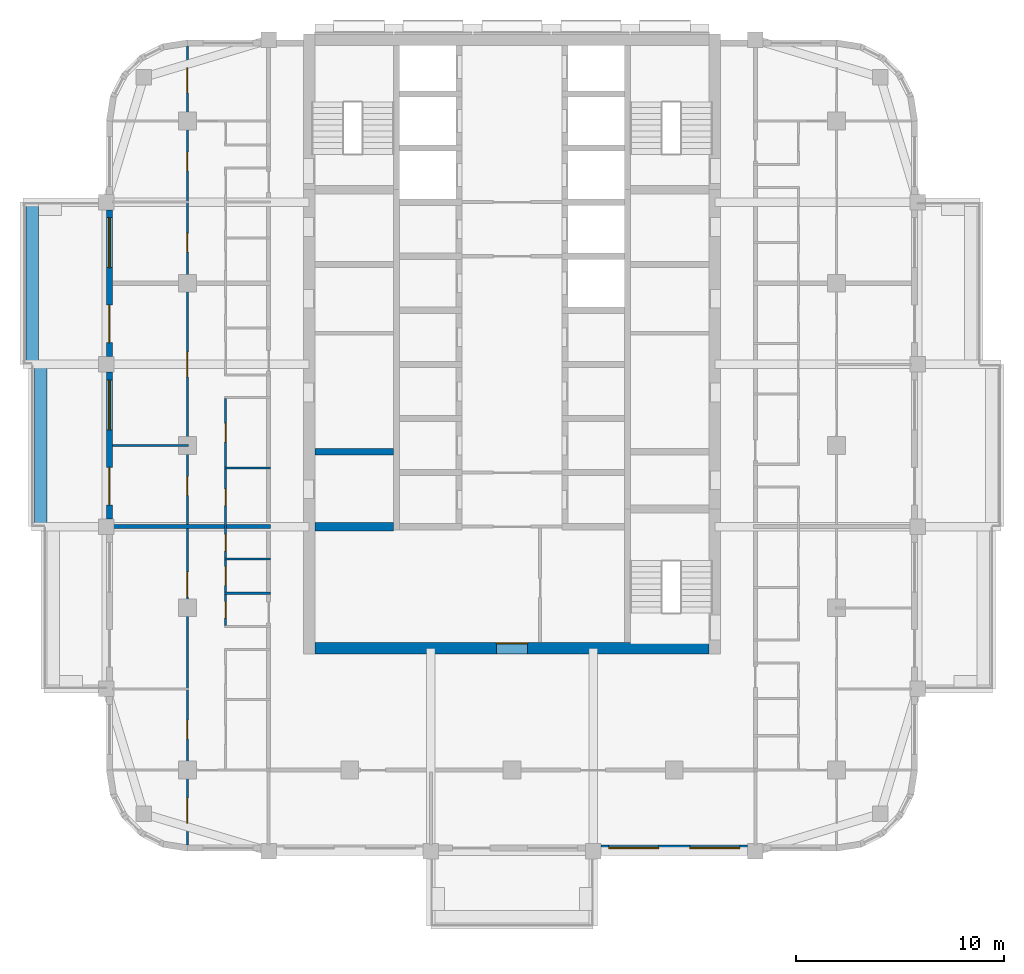
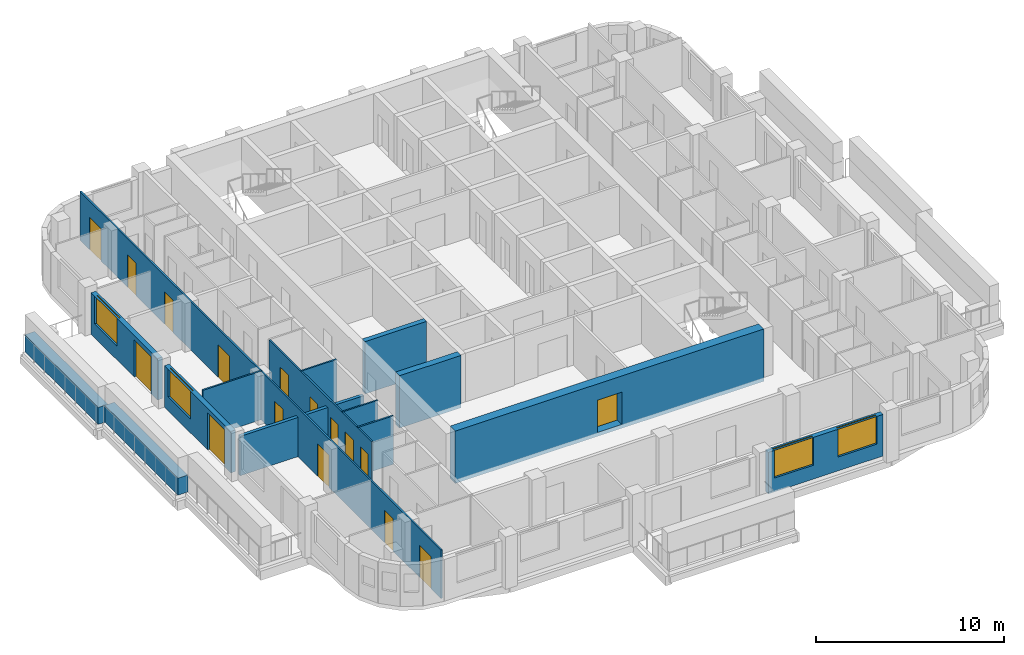
# One storey, part 3 of 13: 16 doors, 15 walls, 4 windows, 20 openings.
"""IFC4 building model written with IfcOpenShell, lengths in metres."""

from ifc_helpers import new_model, si_unit, direction, frame, frame_2d, origin, place, context, subcontext, project, spatial, rectangle, extrude, material, layer, layer_set, type_object, element, fill, save


model = new_model("IFC4")

# Units and contexts
model_context = context("Model", 3, precision=1e-05, world=origin(), true_north=direction((0.0, 1.0)))
body_context = subcontext(model_context, "Body", "Model", "MODEL_VIEW")
ifc_project = project(units=[si_unit("LENGTHUNIT", "METRE"), si_unit("AREAUNIT", "SQUARE_METRE"), si_unit("VOLUMEUNIT", "CUBIC_METRE"), si_unit("PLANEANGLEUNIT", "RADIAN"), si_unit("MASSUNIT", "GRAM", prefix="KILO")], contexts=[model_context])

# Site, building, storey
site_placement = place(None, origin())
site = spatial("IfcSite", under=ifc_project, at=site_placement, CompositionType="ELEMENT")
building_placement = place(site_placement, origin())
building = spatial("IfcBuilding", under=site, at=building_placement, Name="Ludao Terraces", CompositionType="ELEMENT")
storey_placement = place(building_placement, frame((0.0, 0.0, 158.800048828125)))
storey = spatial("IfcBuildingStorey", under=building, at=storey_placement, Name="L43", CompositionType="ELEMENT", Elevation=158.800048828125)

# Wall, opening, door
ifc_material_1 = material(Name="Concrete C60", Category="concrete")
ifc_layer_1 = layer(ifc_material_1, 0.550048828125)
ifc_layer_set_1 = layer_set([ifc_layer_1], Name="Core wall 550 C60")
wall_type_1 = type_object("IfcWallType", Name="Core wall 550 C60", PredefinedType="SOLIDWALL", material=ifc_layer_set_1)
wall_1_placement = place(storey_placement, frame((75.52490234375, 55.25, -0.25), z_axis=(0.0, 0.0, 1.0), x_axis=(1.0, 0.0, 0.0)))
wall_1 = element("IfcWall", 1, at=wall_1_placement, inside=storey, type_object=wall_type_1, Name="Core wall L43 outer-S", PredefinedType="SOLIDWALL", context=body_context, shape_type="SweptSolid", body=[
    extrude(rectangle(XDim=18.9501953125, YDim=0.550048828125, at=frame_2d((9.47509765625, 0.0))), origin(), (0.0, 0.0, 1.0), 3.39990234375),
])
opening_1_placement = place(wall_1_placement, frame((8.72509765625, 0.0, 0.25)))
opening_1 = element("IfcOpeningElement", 2, at=opening_1_placement, cuts=wall_1, Name="Opening R15-015", PredefinedType="OPENING", context=body_context, shape_type="SweptSolid", body=[
    extrude(rectangle(XDim=1.5, YDim=2.10009765625, at=frame_2d((0.75, 1.050048828125))), frame((0.0, 0.28515625, 0.0), z_axis=(0.0, -1.0, 0.0), x_axis=(1.0, 0.0, 0.0)), (0.0, 0.0, 1.0), 0.570068359375),
])
ifc_material_2 = material(Name="Steel Q235", Category="steel")
door_type_1 = type_object("IfcDoorType", Name="INT Lobby door 1500", OperationType="DOUBLE_DOOR_SINGLE_SWING", PredefinedType="DOOR", material=ifc_material_2)
door_1_placement = place(opening_1_placement, origin())
door_1 = element("IfcDoor", 3, at=door_1_placement, inside=storey, type_object=door_type_1, Name="DOOR 015", OperationType="DOUBLE_DOOR_SINGLE_SWING", OverallHeight=2.10009765625, OverallWidth=1.5, PredefinedType="DOOR", context=body_context, shape_type="SweptSolid", body=[
    extrude(rectangle(XDim=1.5, YDim=2.10009765625, at=frame_2d((0.75, 1.050048828125))), frame((0.0, 0.26025390625, 0.0), z_axis=(0.0, -1.0, 0.0), x_axis=(1.0, 0.0, 0.0)), (0.0, 0.0, 1.0), 0.050048828125),
])
fill(opening_1, door_1)

# Walls
ifc_material_3 = material(Name="Concrete C40", Category="concrete")
ifc_layer_2 = layer(ifc_material_3, 0.60009765625)
ifc_layer_set_2 = layer_set([ifc_layer_2], Name="ENV Planter trough 600")
wall_type_2 = type_object("IfcWallType", Name="ENV Planter trough 600", PredefinedType="USERDEFINED", material=ifc_layer_set_2)
wall_2_placement = place(storey_placement, frame((62.35009765625, 61.10009765625, 0.0), z_axis=(0.0, 0.0, 1.0), x_axis=(0.0, 1.0, 0.0)))
element("IfcWall", 4, at=wall_2_placement, inside=storey, type_object=wall_type_2, Name="PL-L43-W2", ObjectType="PLANTER", PredefinedType="USERDEFINED", context=body_context, shape_type="SweptSolid", body=[
    extrude(rectangle(XDim=7.7998046875, YDim=0.60009765625, at=frame_2d((3.89990234375, 0.0))), origin(), (0.0, 0.0, 1.0), 1.099853515625),
])
wall_3_placement = place(storey_placement, frame((61.949951171875, 68.89990234375, 0.0), z_axis=(0.0, 0.0, 1.0), x_axis=(0.0, 1.0, 0.0)))
element("IfcWall", 5, at=wall_3_placement, inside=storey, type_object=wall_type_2, Name="PL-L43-W3", ObjectType="PLANTER", PredefinedType="USERDEFINED", context=body_context, shape_type="SweptSolid", body=[
    extrude(rectangle(XDim=7.800048828125, YDim=0.60009765625, at=frame_2d((3.89990234375, 0.0))), origin(), (0.0, 0.0, 1.0), 1.099853515625),
])

# Wall, openings, windows
ifc_material_4 = material(Name="Granite cladding", Category="masonry")
ifc_layer_3 = layer(ifc_material_4, 0.0400390625, Category="stone")
ifc_material_5 = material(Name="Mineral wool")
ifc_layer_4 = layer(ifc_material_5, 0.06005859375)
ifc_layer_5 = layer(ifc_material_3, 0.199951171875, Category="concrete")
ifc_layer_set_3 = layer_set([ifc_layer_3, ifc_layer_4, ifc_layer_5], Name="ENV Stone-clad wall 300")
wall_type_3 = type_object("IfcWallType", Name="ENV Stone-clad wall 300", PredefinedType="SOLIDWALL", material=ifc_layer_set_3)
wall_4_placement = place(storey_placement, frame((89.27490234375, 45.64990234375, 0.0), z_axis=(0.0, 0.0, 1.0), x_axis=(1.0, 0.0, 0.0)))
wall_4 = element("IfcWall", 6, at=wall_4_placement, inside=storey, type_object=wall_type_3, Name="EW-L43-S4", PredefinedType="SOLIDWALL", context=body_context, shape_type="SweptSolid", body=[
    extrude(rectangle(XDim=7.050048828125, YDim=0.300048828125, at=frame_2d((3.52490234375, 0.0))), origin(), (0.0, 0.0, 1.0), 2.699951171875),
])
opening_2_placement = place(wall_4_placement, frame((0.375, 0.0, 0.89990234375)))
opening_2 = element("IfcOpeningElement", 7, at=opening_2_placement, cuts=wall_4, Name="Opening W1", PredefinedType="OPENING", context=body_context, shape_type="SweptSolid", body=[
    extrude(rectangle(XDim=2.39990234375, YDim=1.800048828125, at=frame_2d((1.199951171875, 0.89990234375))), frame((0.0, 0.16015625, 0.0), z_axis=(0.0, -1.0, 0.0), x_axis=(1.0, 0.0, 0.0)), (0.0, 0.0, 1.0), 0.320068359375),
])
opening_3_placement = place(wall_4_placement, frame((4.27490234375, 0.0, 0.89990234375)))
opening_3 = element("IfcOpeningElement", 8, at=opening_3_placement, cuts=wall_4, Name="Opening W1", PredefinedType="OPENING", context=body_context, shape_type="SweptSolid", body=[
    extrude(rectangle(XDim=2.39990234375, YDim=1.800048828125, at=frame_2d((1.199951171875, 0.89990234375))), frame((0.0, 0.16015625, 0.0), z_axis=(0.0, -1.0, 0.0), x_axis=(1.0, 0.0, 0.0)), (0.0, 0.0, 1.0), 0.320068359375),
])
ifc_material_6 = material(Name="Clear glass in aluminium frame", Category="aluminium")
ifc_layer_6 = layer(ifc_material_6, 0.06005859375)
ifc_layer_set_4 = layer_set([ifc_layer_6], Name="ENV Window W1 2400x1800")
window_type = type_object("IfcWindowType", Name="ENV Window W1 2400x1800", PartitioningType="DOUBLE_PANEL_VERTICAL", PredefinedType="WINDOW", material=ifc_layer_set_4)
window_1_placement = place(opening_2_placement, origin())
window_1 = element("IfcWindow", 9, at=window_1_placement, inside=storey, type_object=window_type, Name="W-L43-S4-1", OverallHeight=1.800048828125, OverallWidth=2.39990234375, PartitioningType="DOUBLE_PANEL_VERTICAL", PredefinedType="WINDOW", context=body_context, shape_type="SweptSolid", body=[
    extrude(rectangle(XDim=2.39990234375, YDim=1.800048828125, at=frame_2d((1.199951171875, 0.89990234375))), frame((0.0, 0.030029296875, 0.0), z_axis=(0.0, -1.0, 0.0), x_axis=(1.0, 0.0, 0.0)), (0.0, 0.0, 1.0), 0.06005859375),
])
fill(opening_2, window_1)
window_2_placement = place(opening_3_placement, origin())
window_2 = element("IfcWindow", 10, at=window_2_placement, inside=storey, type_object=window_type, Name="W-L43-S4-2", OverallHeight=1.800048828125, OverallWidth=2.39990234375, PartitioningType="DOUBLE_PANEL_VERTICAL", PredefinedType="WINDOW", context=body_context, shape_type="SweptSolid", body=[
    extrude(rectangle(XDim=2.39990234375, YDim=1.800048828125, at=frame_2d((1.199951171875, 0.89990234375))), frame((0.0, 0.030029296875, 0.0), z_axis=(0.0, -1.0, 0.0), x_axis=(1.0, 0.0, 0.0)), (0.0, 0.0, 1.0), 0.06005859375),
])
fill(opening_3, window_2)

# Wall, openings, door, window
wall_5_placement = place(storey_placement, frame((65.64990234375, 61.47509765625, 0.0), z_axis=(0.0, 0.0, 1.0), x_axis=(0.0, 1.0, 0.0)))
wall_5 = element("IfcWall", 11, at=wall_5_placement, inside=storey, type_object=wall_type_3, Name="EW-L43-W3", PredefinedType="SOLIDWALL", context=body_context, shape_type="SweptSolid", body=[
    extrude(rectangle(XDim=7.0498046875, YDim=0.300048828125, at=frame_2d((3.52490234375, 0.0))), origin(), (0.0, 0.0, 1.0), 2.699951171875),
])
opening_4_placement = place(wall_5_placement, frame((0.675048828125, 0.0, 0.0)))
opening_4 = element("IfcOpeningElement", 12, at=opening_4_placement, cuts=wall_5, Name="Opening BD", PredefinedType="OPENING", context=body_context, shape_type="SweptSolid", body=[
    extrude(rectangle(XDim=1.800048828125, YDim=2.39990234375, at=frame_2d((0.89990234375, 1.199951171875))), frame((0.0, 0.16015625, 0.0), z_axis=(0.0, -1.0, 0.0), x_axis=(1.0, 0.0, 0.0)), (0.0, 0.0, 1.0), 0.320068359375),
])
opening_5_placement = place(wall_5_placement, frame((4.27490234375, 0.0, 0.89990234375)))
opening_5 = element("IfcOpeningElement", 13, at=opening_5_placement, cuts=wall_5, Name="Opening W1", PredefinedType="OPENING", context=body_context, shape_type="SweptSolid", body=[
    extrude(rectangle(XDim=2.39990234375, YDim=1.800048828125, at=frame_2d((1.199951171875, 0.89990234375))), frame((0.0, 0.16015625, 0.0), z_axis=(0.0, -1.0, 0.0), x_axis=(1.0, 0.0, 0.0)), (0.0, 0.0, 1.0), 0.320068359375),
])
ifc_material_7 = material(Name="Aluminium glazed door", Category="aluminium")
ifc_layer_7 = layer(ifc_material_7, 0.06005859375)
ifc_layer_set_5 = layer_set([ifc_layer_7], Name="ENV Balcony door BD 1800x2400")
door_type_2 = type_object("IfcDoorType", Name="ENV Balcony door BD 1800x2400", OperationType="DOUBLE_DOOR_SINGLE_SWING", PredefinedType="DOOR", material=ifc_layer_set_5)
door_2_placement = place(opening_4_placement, origin())
door_2 = element("IfcDoor", 14, at=door_2_placement, inside=storey, type_object=door_type_2, Name="BD-L43-W3-1", OperationType="DOUBLE_DOOR_SINGLE_SWING", OverallHeight=2.39990234375, OverallWidth=1.800048828125, PredefinedType="DOOR", context=body_context, shape_type="SweptSolid", body=[
    extrude(rectangle(XDim=1.800048828125, YDim=2.39990234375, at=frame_2d((0.89990234375, 1.199951171875))), frame((0.0, 0.02490234375, 0.0), z_axis=(0.0, -1.0, 0.0), x_axis=(1.0, 0.0, 0.0)), (0.0, 0.0, 1.0), 0.050048828125),
])
fill(opening_4, door_2)
window_3_placement = place(opening_5_placement, origin())
window_3 = element("IfcWindow", 15, at=window_3_placement, inside=storey, type_object=window_type, Name="W-L43-W3-2", OverallHeight=1.800048828125, OverallWidth=2.39990234375, PartitioningType="DOUBLE_PANEL_VERTICAL", PredefinedType="WINDOW", context=body_context, shape_type="SweptSolid", body=[
    extrude(rectangle(XDim=2.39990234375, YDim=1.800048828125, at=frame_2d((1.199951171875, 0.89990234375))), frame((0.0, 0.030029296875, 0.0), z_axis=(0.0, -1.0, 0.0), x_axis=(1.0, 0.0, 0.0)), (0.0, 0.0, 1.0), 0.06005859375),
])
fill(opening_5, window_3)

wall_6_placement = place(storey_placement, frame((65.64990234375, 69.27490234375, 0.0), z_axis=(0.0, 0.0, 1.0), x_axis=(0.0, 1.0, 0.0)))
wall_6 = element("IfcWall", 16, at=wall_6_placement, inside=storey, type_object=wall_type_3, Name="EW-L43-W4", PredefinedType="SOLIDWALL", context=body_context, shape_type="SweptSolid", body=[
    extrude(rectangle(XDim=7.050048828125, YDim=0.300048828125, at=frame_2d((3.52490234375, 0.0))), origin(), (0.0, 0.0, 1.0), 2.699951171875),
])
opening_6_placement = place(wall_6_placement, frame((0.675048828125, 0.0, 0.0)))
opening_6 = element("IfcOpeningElement", 17, at=opening_6_placement, cuts=wall_6, Name="Opening BD", PredefinedType="OPENING", context=body_context, shape_type="SweptSolid", body=[
    extrude(rectangle(XDim=1.800048828125, YDim=2.39990234375, at=frame_2d((0.89990234375, 1.199951171875))), frame((0.0, 0.16015625, 0.0), z_axis=(0.0, -1.0, 0.0), x_axis=(1.0, 0.0, 0.0)), (0.0, 0.0, 1.0), 0.320068359375),
])
opening_7_placement = place(wall_6_placement, frame((4.27490234375, 0.0, 0.89990234375)))
opening_7 = element("IfcOpeningElement", 18, at=opening_7_placement, cuts=wall_6, Name="Opening W1", PredefinedType="OPENING", context=body_context, shape_type="SweptSolid", body=[
    extrude(rectangle(XDim=2.39990234375, YDim=1.800048828125, at=frame_2d((1.199951171875, 0.89990234375))), frame((0.0, 0.16015625, 0.0), z_axis=(0.0, -1.0, 0.0), x_axis=(1.0, 0.0, 0.0)), (0.0, 0.0, 1.0), 0.320068359375),
])
door_3_placement = place(opening_6_placement, origin())
door_3 = element("IfcDoor", 19, at=door_3_placement, inside=storey, type_object=door_type_2, Name="BD-L43-W4-1", OperationType="DOUBLE_DOOR_SINGLE_SWING", OverallHeight=2.39990234375, OverallWidth=1.800048828125, PredefinedType="DOOR", context=body_context, shape_type="SweptSolid", body=[
    extrude(rectangle(XDim=1.800048828125, YDim=2.39990234375, at=frame_2d((0.89990234375, 1.199951171875))), frame((0.0, 0.02490234375, 0.0), z_axis=(0.0, -1.0, 0.0), x_axis=(1.0, 0.0, 0.0)), (0.0, 0.0, 1.0), 0.050048828125),
])
fill(opening_6, door_3)
window_4_placement = place(opening_7_placement, origin())
window_4 = element("IfcWindow", 20, at=window_4_placement, inside=storey, type_object=window_type, Name="W-L43-W4-2", OverallHeight=1.800048828125, OverallWidth=2.39990234375, PartitioningType="DOUBLE_PANEL_VERTICAL", PredefinedType="WINDOW", context=body_context, shape_type="SweptSolid", body=[
    extrude(rectangle(XDim=2.39990234375, YDim=1.800048828125, at=frame_2d((1.199951171875, 0.89990234375))), frame((0.0, 0.030029296875, 0.0), z_axis=(0.0, -1.0, 0.0), x_axis=(1.0, 0.0, 0.0)), (0.0, 0.0, 1.0), 0.06005859375),
])
fill(opening_7, window_4)

# Walls
ifc_material_8 = material(Name="Gypsum plasterboard", Category="gypsum")
ifc_layer_8 = layer(ifc_material_8, 0.012451171875, Category="gypsum")
ifc_layer_9 = layer(ifc_material_5, 0.06005859375, Name="insulation")
ifc_layer_10 = layer(ifc_material_2, 0.014892578125, Name="stud")
ifc_layer_11 = layer(ifc_material_8, 0.012451171875, Category="gypsum")
ifc_layer_set_6 = layer_set([ifc_layer_8, ifc_layer_9, ifc_layer_10, ifc_layer_11], Name="INT Partition 100")
wall_type_4 = type_object("IfcWallType", Name="INT Partition 100", PredefinedType="PARTITIONING", material=ifc_layer_set_6)
for number, where, z_axis, x_axis, name in (
    (21, (71.18017578125, 57.89990234375, 0.0), (0.0, 0.0, 1.0), (1.0, 0.0, 0.0), "PW-L43-PW013"),
    (22, (71.18017578125, 59.550048828125, 0.0), (0.0, 0.0, 1.0), (1.0, 0.0, 0.0), "PW-L43-PW015"),
    (23, (71.18017578125, 63.929931640625, 0.0), (0.0, 0.0, 1.0), (1.0, 0.0, 0.0), "PW-L43-PW021"),
):
    element("IfcWall", number, at=place(storey_placement, frame(where, z_axis=z_axis, x_axis=x_axis)), inside=storey, type_object=wall_type_4, Name=name, PredefinedType="PARTITIONING", context=body_context, shape_type="SweptSolid", body=[
        extrude(rectangle(XDim=2.219970703125, YDim=0.10009765625, at=frame_2d((1.10986328125, 0.0))), origin(), (0.0, 0.0, 1.0), 3.14990234375),
    ])
wall_7_placement = place(storey_placement, frame((65.800048828125, 65.0, 0.0), z_axis=(0.0, 0.0, 1.0), x_axis=(1.0, 0.0, 0.0)))
element("IfcWall", 24, at=wall_7_placement, inside=storey, type_object=wall_type_4, Name="PW-L43-PW023", PredefinedType="PARTITIONING", context=body_context, shape_type="SweptSolid", body=[
    extrude(rectangle(XDim=3.650146484375, YDim=0.10009765625, at=frame_2d((1.8251953125, 0.0))), origin(), (0.0, 0.0, 1.0), 3.14990234375),
])

# Wall, openings, doors
wall_8_placement = place(storey_placement, frame((69.39990234375, 45.800048828125, 0.0), z_axis=(0.0, 0.0, 1.0), x_axis=(0.0, 1.0, 0.0)))
wall_8 = element("IfcWall", 25, at=wall_8_placement, inside=storey, type_object=wall_type_4, Name="PW-L43-PW046", PredefinedType="PARTITIONING", context=body_context, shape_type="SweptSolid", body=[
    extrude(rectangle(XDim=38.400146484375, YDim=0.10009765625, at=frame_2d((19.2001953125, 0.0))), origin(), (0.0, 0.0, 1.0), 3.14990234375),
])
opening_8_placement = place(wall_8_placement, frame((1.050048828125, 0.0, 0.0)))
opening_8 = element("IfcOpeningElement", 26, at=opening_8_placement, cuts=wall_8, Name="Opening R15-001", PredefinedType="OPENING", context=body_context, shape_type="SweptSolid", body=[
    extrude(rectangle(XDim=1.199951171875, YDim=2.10009765625, at=frame_2d((0.60009765625, 1.050048828125))), frame((0.0, 0.06005859375, 0.0), z_axis=(0.0, -1.0, 0.0), x_axis=(1.0, 0.0, 0.0)), (0.0, 0.0, 1.0), 0.1201171875),
])
opening_9_placement = place(wall_8_placement, frame((5.10009765625, 0.0, 0.0)))
opening_9 = element("IfcOpeningElement", 27, at=opening_9_placement, cuts=wall_8, Name="Opening R15-009", PredefinedType="OPENING", context=body_context, shape_type="SweptSolid", body=[
    extrude(rectangle(XDim=0.89990234375, YDim=2.10009765625, at=frame_2d((0.449951171875, 1.050048828125))), frame((0.0, 0.06005859375, 0.0), z_axis=(0.0, -1.0, 0.0), x_axis=(1.0, 0.0, 0.0)), (0.0, 0.0, 1.0), 0.1201171875),
])
opening_10_placement = place(wall_8_placement, frame((11.925048828125, 0.0, 0.0)))
opening_10 = element("IfcOpeningElement", 28, at=opening_10_placement, cuts=wall_8, Name="Opening R15-022", PredefinedType="OPENING", context=body_context, shape_type="SweptSolid", body=[
    extrude(rectangle(XDim=1.199951171875, YDim=2.10009765625, at=frame_2d((0.60009765625, 1.050048828125))), frame((0.0, 0.06005859375, 0.0), z_axis=(0.0, -1.0, 0.0), x_axis=(1.0, 0.0, 0.0)), (0.0, 0.0, 1.0), 0.1201171875),
])
opening_11_placement = place(wall_8_placement, frame((16.800048828125, 0.0, 0.0)))
opening_11 = element("IfcOpeningElement", 29, at=opening_11_placement, cuts=wall_8, Name="Opening R15-033", PredefinedType="OPENING", context=body_context, shape_type="SweptSolid", body=[
    extrude(rectangle(XDim=0.89990234375, YDim=2.10009765625, at=frame_2d((0.449951171875, 1.050048828125))), frame((0.0, 0.06005859375, 0.0), z_axis=(0.0, -1.0, 0.0), x_axis=(1.0, 0.0, 0.0)), (0.0, 0.0, 1.0), 0.1201171875),
])
opening_12_placement = place(wall_8_placement, frame((22.5, 0.0, 0.0)))
opening_12 = element("IfcOpeningElement", 30, at=opening_12_placement, cuts=wall_8, Name="Opening R15-047", PredefinedType="OPENING", context=body_context, shape_type="SweptSolid", body=[
    extrude(rectangle(XDim=1.199951171875, YDim=2.10009765625, at=frame_2d((0.60009765625, 1.050048828125))), frame((0.0, 0.06005859375, 0.0), z_axis=(0.0, -1.0, 0.0), x_axis=(1.0, 0.0, 0.0)), (0.0, 0.0, 1.0), 0.1201171875),
])
opening_13_placement = place(wall_8_placement, frame((28.5, 0.0, 0.0)))
opening_13 = element("IfcOpeningElement", 31, at=opening_13_placement, cuts=wall_8, Name="Opening R15-062", PredefinedType="OPENING", context=body_context, shape_type="SweptSolid", body=[
    extrude(rectangle(XDim=0.89990234375, YDim=2.10009765625, at=frame_2d((0.449951171875, 1.050048828125))), frame((0.0, 0.06005859375, 0.0), z_axis=(0.0, -1.0, 0.0), x_axis=(1.0, 0.0, 0.0)), (0.0, 0.0, 1.0), 0.1201171875),
])
opening_14_placement = place(wall_8_placement, frame((32.39990234375, 0.0, 0.0)))
opening_14 = element("IfcOpeningElement", 32, at=opening_14_placement, cuts=wall_8, Name="Opening R15-077", PredefinedType="OPENING", context=body_context, shape_type="SweptSolid", body=[
    extrude(rectangle(XDim=0.89990234375, YDim=2.10009765625, at=frame_2d((0.449951171875, 1.050048828125))), frame((0.0, 0.06005859375, 0.0), z_axis=(0.0, -1.0, 0.0), x_axis=(1.0, 0.0, 0.0)), (0.0, 0.0, 1.0), 0.1201171875),
])
opening_15_placement = place(wall_8_placement, frame((36.14990234375, 0.0, 0.0)))
opening_15 = element("IfcOpeningElement", 33, at=opening_15_placement, cuts=wall_8, Name="Opening R15-085", PredefinedType="OPENING", context=body_context, shape_type="SweptSolid", body=[
    extrude(rectangle(XDim=1.199951171875, YDim=2.10009765625, at=frame_2d((0.60009765625, 1.050048828125))), frame((0.0, 0.06005859375, 0.0), z_axis=(0.0, -1.0, 0.0), x_axis=(1.0, 0.0, 0.0)), (0.0, 0.0, 1.0), 0.1201171875),
])
ifc_material_9 = material(Name="Timber door leaf", Category="wood")
door_type_3 = type_object("IfcDoorType", Name="INT Double door 1200", OperationType="DOUBLE_DOOR_SINGLE_SWING", PredefinedType="DOOR", material=ifc_material_9)
door_4_placement = place(opening_8_placement, origin())
door_4 = element("IfcDoor", 34, at=door_4_placement, inside=storey, type_object=door_type_3, Name="DOOR 001", OperationType="DOUBLE_DOOR_SINGLE_SWING", OverallHeight=2.10009765625, OverallWidth=1.199951171875, PredefinedType="DOOR", context=body_context, shape_type="SweptSolid", body=[
    extrude(rectangle(XDim=1.199951171875, YDim=2.10009765625, at=frame_2d((0.60009765625, 1.050048828125))), frame((0.0, 0.02490234375, 0.0), z_axis=(0.0, -1.0, 0.0), x_axis=(1.0, 0.0, 0.0)), (0.0, 0.0, 1.0), 0.050048828125),
])
fill(opening_8, door_4)
door_5_placement = place(opening_10_placement, origin())
door_5 = element("IfcDoor", 35, at=door_5_placement, inside=storey, type_object=door_type_3, Name="DOOR 022", OperationType="DOUBLE_DOOR_SINGLE_SWING", OverallHeight=2.10009765625, OverallWidth=1.199951171875, PredefinedType="DOOR", context=body_context, shape_type="SweptSolid", body=[
    extrude(rectangle(XDim=1.199951171875, YDim=2.10009765625, at=frame_2d((0.60009765625, 1.050048828125))), frame((0.0, 0.02490234375, 0.0), z_axis=(0.0, -1.0, 0.0), x_axis=(1.0, 0.0, 0.0)), (0.0, 0.0, 1.0), 0.050048828125),
])
fill(opening_10, door_5)
door_6_placement = place(opening_12_placement, origin())
door_6 = element("IfcDoor", 36, at=door_6_placement, inside=storey, type_object=door_type_3, Name="DOOR 047", OperationType="DOUBLE_DOOR_SINGLE_SWING", OverallHeight=2.10009765625, OverallWidth=1.199951171875, PredefinedType="DOOR", context=body_context, shape_type="SweptSolid", body=[
    extrude(rectangle(XDim=1.199951171875, YDim=2.10009765625, at=frame_2d((0.60009765625, 1.050048828125))), frame((0.0, 0.02490234375, 0.0), z_axis=(0.0, -1.0, 0.0), x_axis=(1.0, 0.0, 0.0)), (0.0, 0.0, 1.0), 0.050048828125),
])
fill(opening_12, door_6)
door_7_placement = place(opening_15_placement, origin())
door_7 = element("IfcDoor", 37, at=door_7_placement, inside=storey, type_object=door_type_3, Name="DOOR 085", OperationType="DOUBLE_DOOR_SINGLE_SWING", OverallHeight=2.10009765625, OverallWidth=1.199951171875, PredefinedType="DOOR", context=body_context, shape_type="SweptSolid", body=[
    extrude(rectangle(XDim=1.199951171875, YDim=2.10009765625, at=frame_2d((0.60009765625, 1.050048828125))), frame((0.0, 0.02490234375, 0.0), z_axis=(0.0, -1.0, 0.0), x_axis=(1.0, 0.0, 0.0)), (0.0, 0.0, 1.0), 0.050048828125),
])
fill(opening_15, door_7)
door_type_4 = type_object("IfcDoorType", Name="INT Room door 900", OperationType="SINGLE_SWING_LEFT", PredefinedType="DOOR", material=ifc_material_9)
door_8_placement = place(opening_9_placement, origin())
door_8 = element("IfcDoor", 38, at=door_8_placement, inside=storey, type_object=door_type_4, Name="DOOR 009", OperationType="SINGLE_SWING_RIGHT", OverallHeight=2.10009765625, OverallWidth=0.89990234375, PredefinedType="DOOR", context=body_context, shape_type="SweptSolid", body=[
    extrude(rectangle(XDim=0.89990234375, YDim=2.10009765625, at=frame_2d((0.449951171875, 1.050048828125))), frame((0.0, 0.02490234375, 0.0), z_axis=(0.0, -1.0, 0.0), x_axis=(1.0, 0.0, 0.0)), (0.0, 0.0, 1.0), 0.050048828125),
])
fill(opening_9, door_8)
door_9_placement = place(opening_11_placement, origin())
door_9 = element("IfcDoor", 39, at=door_9_placement, inside=storey, type_object=door_type_4, Name="DOOR 033", OperationType="SINGLE_SWING_RIGHT", OverallHeight=2.10009765625, OverallWidth=0.89990234375, PredefinedType="DOOR", context=body_context, shape_type="SweptSolid", body=[
    extrude(rectangle(XDim=0.89990234375, YDim=2.10009765625, at=frame_2d((0.449951171875, 1.050048828125))), frame((0.0, 0.02490234375, 0.0), z_axis=(0.0, -1.0, 0.0), x_axis=(1.0, 0.0, 0.0)), (0.0, 0.0, 1.0), 0.050048828125),
])
fill(opening_11, door_9)
door_10_placement = place(opening_13_placement, origin())
door_10 = element("IfcDoor", 40, at=door_10_placement, inside=storey, type_object=door_type_4, Name="DOOR 062", OperationType="SINGLE_SWING_RIGHT", OverallHeight=2.10009765625, OverallWidth=0.89990234375, PredefinedType="DOOR", context=body_context, shape_type="SweptSolid", body=[
    extrude(rectangle(XDim=0.89990234375, YDim=2.10009765625, at=frame_2d((0.449951171875, 1.050048828125))), frame((0.0, 0.02490234375, 0.0), z_axis=(0.0, -1.0, 0.0), x_axis=(1.0, 0.0, 0.0)), (0.0, 0.0, 1.0), 0.050048828125),
])
fill(opening_13, door_10)
door_11_placement = place(opening_14_placement, origin())
door_11 = element("IfcDoor", 41, at=door_11_placement, inside=storey, type_object=door_type_4, Name="DOOR 077", OperationType="SINGLE_SWING_RIGHT", OverallHeight=2.10009765625, OverallWidth=0.89990234375, PredefinedType="DOOR", context=body_context, shape_type="SweptSolid", body=[
    extrude(rectangle(XDim=0.89990234375, YDim=2.10009765625, at=frame_2d((0.449951171875, 1.050048828125))), frame((0.0, 0.02490234375, 0.0), z_axis=(0.0, -1.0, 0.0), x_axis=(1.0, 0.0, 0.0)), (0.0, 0.0, 1.0), 0.050048828125),
])
fill(opening_14, door_11)

wall_9_placement = place(storey_placement, frame((71.22998046875, 56.35009765625, 0.0), z_axis=(0.0, 0.0, 1.0), x_axis=(0.0, 1.0, 0.0)))
wall_9 = element("IfcWall", 42, at=wall_9_placement, inside=storey, type_object=wall_type_4, Name="PW-L43-PW048", PredefinedType="PARTITIONING", context=body_context, shape_type="SweptSolid", body=[
    extrude(rectangle(XDim=10.89990234375, YDim=0.10009765625, at=frame_2d((5.449951171875, 0.0))), origin(), (0.0, 0.0, 1.0), 3.14990234375),
])
opening_16_placement = place(wall_9_placement, frame((0.35009765625, 0.0, 0.0)))
opening_16 = element("IfcOpeningElement", 43, at=opening_16_placement, cuts=wall_9, Name="Opening R15-020", PredefinedType="OPENING", context=body_context, shape_type="SweptSolid", body=[
    extrude(rectangle(XDim=0.800048828125, YDim=2.10009765625, at=frame_2d((0.39990234375, 1.050048828125))), frame((0.0, 0.06005859375, 0.0), z_axis=(0.0, -1.0, 0.0), x_axis=(1.0, 0.0, 0.0)), (0.0, 0.0, 1.0), 0.1201171875),
])
opening_17_placement = place(wall_9_placement, frame((1.925048828125, 0.0, 0.0)))
opening_17 = element("IfcOpeningElement", 44, at=opening_17_placement, cuts=wall_9, Name="Opening R15-023", PredefinedType="OPENING", context=body_context, shape_type="SweptSolid", body=[
    extrude(rectangle(XDim=0.89990234375, YDim=2.10009765625, at=frame_2d((0.449951171875, 1.050048828125))), frame((0.0, 0.06005859375, 0.0), z_axis=(0.0, -1.0, 0.0), x_axis=(1.0, 0.0, 0.0)), (0.0, 0.0, 1.0), 0.1201171875),
])
opening_18_placement = place(wall_9_placement, frame((3.574951171875, 0.0, 0.0)))
opening_18 = element("IfcOpeningElement", 45, at=opening_18_placement, cuts=wall_9, Name="Opening R15-026", PredefinedType="OPENING", context=body_context, shape_type="SweptSolid", body=[
    extrude(rectangle(XDim=0.800048828125, YDim=2.10009765625, at=frame_2d((0.39990234375, 1.050048828125))), frame((0.0, 0.06005859375, 0.0), z_axis=(0.0, -1.0, 0.0), x_axis=(1.0, 0.0, 0.0)), (0.0, 0.0, 1.0), 0.1201171875),
])
opening_19_placement = place(wall_9_placement, frame((5.764892578125, 0.0, 0.0)))
opening_19 = element("IfcOpeningElement", 46, at=opening_19_placement, cuts=wall_9, Name="Opening R15-031", PredefinedType="OPENING", context=body_context, shape_type="SweptSolid", body=[
    extrude(rectangle(XDim=0.800048828125, YDim=2.10009765625, at=frame_2d((0.39990234375, 1.050048828125))), frame((0.0, 0.06005859375, 0.0), z_axis=(0.0, -1.0, 0.0), x_axis=(1.0, 0.0, 0.0)), (0.0, 0.0, 1.0), 0.1201171875),
])
opening_20_placement = place(wall_9_placement, frame((8.81494140625, 0.0, 0.0)))
opening_20 = element("IfcOpeningElement", 47, at=opening_20_placement, cuts=wall_9, Name="Opening R15-039", PredefinedType="OPENING", context=body_context, shape_type="SweptSolid", body=[
    extrude(rectangle(XDim=0.89990234375, YDim=2.10009765625, at=frame_2d((0.449951171875, 1.050048828125))), frame((0.0, 0.06005859375, 0.0), z_axis=(0.0, -1.0, 0.0), x_axis=(1.0, 0.0, 0.0)), (0.0, 0.0, 1.0), 0.1201171875),
])
door_type_5 = type_object("IfcDoorType", Name="INT Bathroom door 900", OperationType="SINGLE_SWING_LEFT", PredefinedType="DOOR", material=ifc_material_9)
door_12_placement = place(opening_17_placement, origin())
door_12 = element("IfcDoor", 48, at=door_12_placement, inside=storey, type_object=door_type_5, Name="DOOR 023", OperationType="SINGLE_SWING_LEFT", OverallHeight=2.10009765625, OverallWidth=0.89990234375, PredefinedType="DOOR", context=body_context, shape_type="SweptSolid", body=[
    extrude(rectangle(XDim=0.89990234375, YDim=2.10009765625, at=frame_2d((0.449951171875, 1.050048828125))), frame((0.0, 0.02490234375, 0.0), z_axis=(0.0, -1.0, 0.0), x_axis=(1.0, 0.0, 0.0)), (0.0, 0.0, 1.0), 0.050048828125),
])
fill(opening_17, door_12)
door_13_placement = place(opening_20_placement, origin())
door_13 = element("IfcDoor", 49, at=door_13_placement, inside=storey, type_object=door_type_4, Name="DOOR 039", OperationType="SINGLE_SWING_RIGHT", OverallHeight=2.10009765625, OverallWidth=0.89990234375, PredefinedType="DOOR", context=body_context, shape_type="SweptSolid", body=[
    extrude(rectangle(XDim=0.89990234375, YDim=2.10009765625, at=frame_2d((0.449951171875, 1.050048828125))), frame((0.0, 0.02490234375, 0.0), z_axis=(0.0, -1.0, 0.0), x_axis=(1.0, 0.0, 0.0)), (0.0, 0.0, 1.0), 0.050048828125),
])
fill(opening_20, door_13)
door_type_6 = type_object("IfcDoorType", Name="INT Store door 800", OperationType="SINGLE_SWING_LEFT", PredefinedType="DOOR", material=ifc_material_9)
door_14_placement = place(opening_16_placement, origin())
door_14 = element("IfcDoor", 50, at=door_14_placement, inside=storey, type_object=door_type_6, Name="DOOR 020", OperationType="SINGLE_SWING_LEFT", OverallHeight=2.10009765625, OverallWidth=0.800048828125, PredefinedType="DOOR", context=body_context, shape_type="SweptSolid", body=[
    extrude(rectangle(XDim=0.800048828125, YDim=2.10009765625, at=frame_2d((0.39990234375, 1.050048828125))), frame((0.0, 0.02490234375, 0.0), z_axis=(0.0, -1.0, 0.0), x_axis=(1.0, 0.0, 0.0)), (0.0, 0.0, 1.0), 0.050048828125),
])
fill(opening_16, door_14)
door_15_placement = place(opening_18_placement, origin())
door_15 = element("IfcDoor", 51, at=door_15_placement, inside=storey, type_object=door_type_6, Name="DOOR 026", OperationType="SINGLE_SWING_LEFT", OverallHeight=2.10009765625, OverallWidth=0.800048828125, PredefinedType="DOOR", context=body_context, shape_type="SweptSolid", body=[
    extrude(rectangle(XDim=0.800048828125, YDim=2.10009765625, at=frame_2d((0.39990234375, 1.050048828125))), frame((0.0, 0.02490234375, 0.0), z_axis=(0.0, -1.0, 0.0), x_axis=(1.0, 0.0, 0.0)), (0.0, 0.0, 1.0), 0.050048828125),
])
fill(opening_18, door_15)
door_16_placement = place(opening_19_placement, origin())
door_16 = element("IfcDoor", 52, at=door_16_placement, inside=storey, type_object=door_type_6, Name="DOOR 031", OperationType="SINGLE_SWING_RIGHT", OverallHeight=2.10009765625, OverallWidth=0.800048828125, PredefinedType="DOOR", context=body_context, shape_type="SweptSolid", body=[
    extrude(rectangle(XDim=0.800048828125, YDim=2.10009765625, at=frame_2d((0.39990234375, 1.050048828125))), frame((0.0, 0.02490234375, 0.0), z_axis=(0.0, -1.0, 0.0), x_axis=(1.0, 0.0, 0.0)), (0.0, 0.0, 1.0), 0.050048828125),
])
fill(opening_19, door_16)

# Walls
ifc_material_10 = material(Name="Autoclaved aerated concrete block B06 A3.5", Category="concrete")
ifc_layer_12 = layer(ifc_material_10, 0.199951171875)
ifc_layer_set_7 = layer_set([ifc_layer_12], Name="INT Party wall 200")
wall_type_5 = type_object("IfcWallType", Name="INT Party wall 200", PredefinedType="PARTITIONING", material=ifc_layer_set_7)
wall_10_placement = place(storey_placement, frame((65.800048828125, 61.10009765625, 0.0), z_axis=(0.0, 0.0, 1.0), x_axis=(1.0, 0.0, 0.0)))
element("IfcWall", 53, at=wall_10_placement, inside=storey, type_object=wall_type_5, Name="PW-L43-PW016", PredefinedType="PARTITIONING", context=body_context, shape_type="SweptSolid", body=[
    extrude(rectangle(XDim=7.60009765625, YDim=0.199951171875, at=frame_2d((3.800048828125, 0.0))), origin(), (0.0, 0.0, 1.0), 2.5498046875),
])
ifc_material_11 = material(Name="Concrete C55", Category="concrete")
ifc_layer_13 = layer(ifc_material_11, 0.300048828125)
ifc_layer_set_8 = layer_set([ifc_layer_13], Name="Shaft wall 300 C55")
wall_type_6 = type_object("IfcWallType", Name="Shaft wall 300 C55", PredefinedType="SOLIDWALL", material=ifc_layer_set_8)
wall_11_placement = place(storey_placement, frame((75.52490234375, 64.699951171875, -0.25), z_axis=(0.0, 0.0, 1.0), x_axis=(1.0, 0.0, 0.0)))
element("IfcWall", 54, at=wall_11_placement, inside=storey, type_object=wall_type_6, Name="Core wall L43 riser-a-W", PredefinedType="SOLIDWALL", context=body_context, shape_type="SweptSolid", body=[
    extrude(rectangle(XDim=3.775146484375, YDim=0.300048828125, at=frame_2d((1.8876953125, 0.0))), origin(), (0.0, 0.0, 1.0), 3.39990234375),
])
ifc_layer_14 = layer(ifc_material_11, 0.39990234375)
ifc_layer_set_9 = layer_set([ifc_layer_14], Name="Shaft wall 400 C55")
wall_type_7 = type_object("IfcWallType", Name="Shaft wall 400 C55", PredefinedType="SOLIDWALL", material=ifc_layer_set_9)
wall_12_placement = place(storey_placement, frame((75.52490234375, 61.10009765625, -0.25), z_axis=(0.0, 0.0, 1.0), x_axis=(1.0, 0.0, 0.0)))
element("IfcWall", 55, at=wall_12_placement, inside=storey, type_object=wall_type_7, Name="Core wall L43 hall-W", PredefinedType="SOLIDWALL", context=body_context, shape_type="SweptSolid", body=[
    extrude(rectangle(XDim=3.775146484375, YDim=0.39990234375, at=frame_2d((1.8876953125, 0.0))), origin(), (0.0, 0.0, 1.0), 3.39990234375),
])

save(model, "model.ifc")
